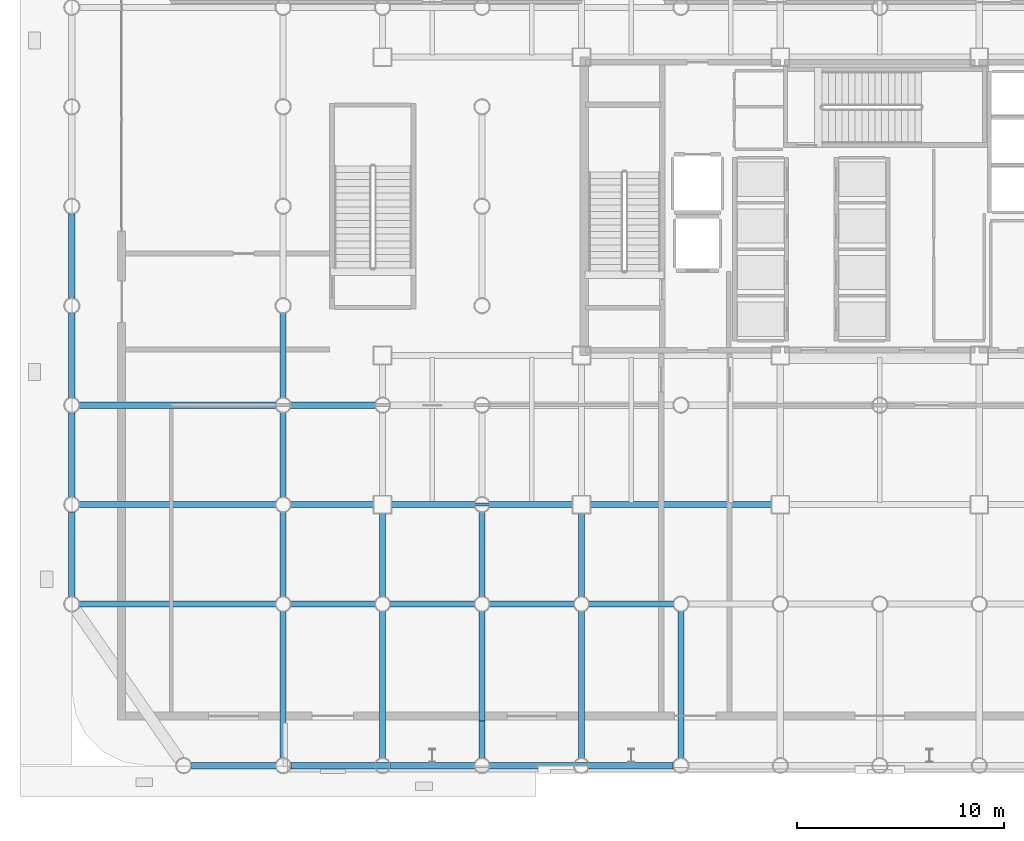
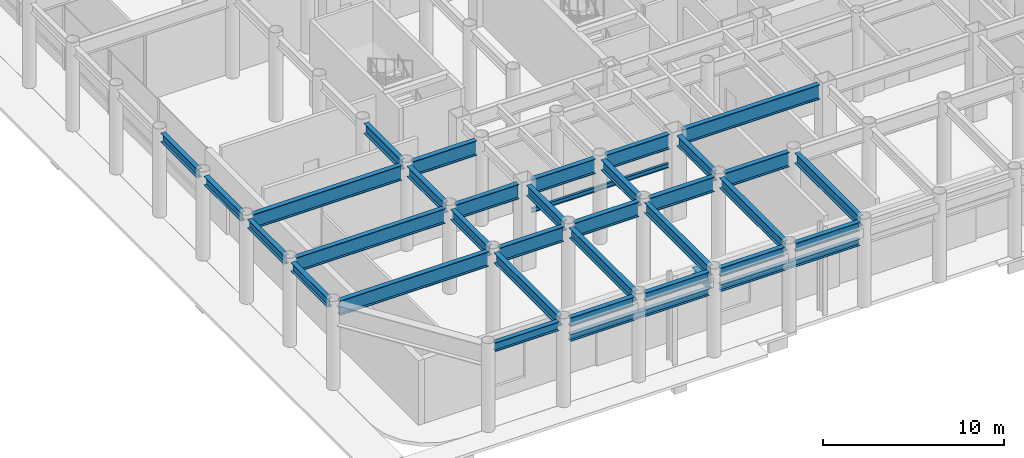
# One storey, part 6 of 23: 36 beams.
"""IFC4 building model written with IfcOpenShell, lengths in metres."""

from ifc_helpers import new_model, si_unit, direction, frame, origin, origin_2d, place, context, subcontext, project, spatial, i_section, extrude, material, material_profile, profile_set, type_object, element, save


model = new_model("IFC4")

# Units and contexts
model_context = context("Model", 3, precision=1e-05, world=origin(), true_north=direction((0.0, 1.0)))
body_context = subcontext(model_context, "Body", "Model", "MODEL_VIEW")
ifc_project = project(units=[si_unit("LENGTHUNIT", "METRE"), si_unit("AREAUNIT", "SQUARE_METRE"), si_unit("VOLUMEUNIT", "CUBIC_METRE"), si_unit("PLANEANGLEUNIT", "RADIAN"), si_unit("MASSUNIT", "GRAM", prefix="KILO")], contexts=[model_context])

# Site, building, storey
site_placement = place(None, origin())
site = spatial("IfcSite", under=ifc_project, at=site_placement, CompositionType="ELEMENT")
building_placement = place(site_placement, origin())
building = spatial("IfcBuilding", under=site, at=building_placement, Name="Kallvorn Hotel Tower", CompositionType="ELEMENT")
storey_placement = place(building_placement, origin())
storey = spatial("IfcBuildingStorey", under=building, at=storey_placement, Name="L00", CompositionType="ELEMENT", Elevation=0.0)

# Beams
ifc_material_1 = material(Name="Structural steel S355JR", Category="steel")
ifc_material_profile_1 = material_profile(ifc_material_1, i_section(OverallWidth=0.300048828125, OverallDepth=1.0, WebThickness=0.01904296875, FlangeThickness=0.035888671875, at=origin_2d()), Name="HE 1000 B")
ifc_profile_set_1 = profile_set([ifc_material_profile_1], Name="Structural steel S355JR")
beam_type_1 = type_object("IfcBeamType", Name="BM_HE1000B", PredefinedType="BEAM", material=ifc_profile_set_1)
beam_1_placement = place(storey_placement, frame((-38.64404296875, -19.199951171875, 5.25), z_axis=(1.0, 0.0, 0.0), x_axis=(0.0, 1.0, 0.0)))
element("IfcBeam", 1, at=beam_1_placement, inside=storey, type_object=beam_type_1, Name="L01 Primary X-Girder 01", PredefinedType="BEAM", context=body_context, shape_type="SweptSolid", body=[
    extrude(i_section(OverallWidth=0.300048828125, OverallDepth=1.0, WebThickness=0.01904296875, FlangeThickness=0.035888671875, at=origin_2d()), origin(), (0.0, 0.0, 1.0), 9.488037109375),
])
for number, where, z_axis, x_axis, name in (
    (2, (-28.444091796875, -19.199951171875, 5.25), (1.0, 0.0, 0.0), (0.0, 1.0, 0.0), "L01 Primary X-Girder 02"),
    (3, (-23.64404296875, -19.199951171875, 5.25), (1.0, 0.0, 0.0), (0.0, 1.0, 0.0), "L01 Primary X-Girder 03"),
):
    element("IfcBeam", number, at=place(storey_placement, frame(where, z_axis=z_axis, x_axis=x_axis)), inside=storey, type_object=beam_type_1, Name=name, PredefinedType="BEAM", context=body_context, shape_type="SweptSolid", body=[
        extrude(i_section(OverallWidth=0.300048828125, OverallDepth=1.0, WebThickness=0.01904296875, FlangeThickness=0.035888671875, at=origin_2d()), origin(), (0.0, 0.0, 1.0), 4.088134765625),
    ])
for number, where, z_axis, x_axis, name in (
    (4, (-18.843994140625, -19.199951171875, 5.25), (1.0, 0.0, 0.0), (0.0, 1.0, 0.0), "L01 Primary X-Girder 04"),
    (5, (-14.0439453125, -19.199951171875, 5.25), (1.0, 0.0, 0.0), (0.0, 1.0, 0.0), "L01 Primary X-Girder 05"),
):
    element("IfcBeam", number, at=place(storey_placement, frame(where, z_axis=z_axis, x_axis=x_axis)), inside=storey, type_object=beam_type_1, Name=name, PredefinedType="BEAM", context=body_context, shape_type="SweptSolid", body=[
        extrude(i_section(OverallWidth=0.300048828125, OverallDepth=1.0, WebThickness=0.01904296875, FlangeThickness=0.035888671875, at=origin_2d()), origin(), (0.0, 0.0, 1.0), 4.087890625),
    ])
beam_2_placement = place(storey_placement, frame((-38.64404296875, -14.39990234375, 5.25), z_axis=(1.0, 0.0, 0.0), x_axis=(0.0, 1.0, 0.0)))
element("IfcBeam", 6, at=beam_2_placement, inside=storey, type_object=beam_type_1, Name="L01 Primary X-Girder 15", PredefinedType="BEAM", context=body_context, shape_type="SweptSolid", body=[
    extrude(i_section(OverallWidth=0.300048828125, OverallDepth=1.0, WebThickness=0.01904296875, FlangeThickness=0.035888671875, at=origin_2d()), origin(), (0.0, 0.0, 1.0), 9.488037109375),
])
for number, where, z_axis, x_axis, name in (
    (7, (-28.444091796875, -14.39990234375, 5.25), (1.0, 0.0, 0.0), (0.0, 1.0, 0.0), "L01 Primary X-Girder 16"),
    (8, (-23.574951171875, -14.39990234375, 5.25), (1.0, 0.0, 0.0), (0.0, 1.0, 0.0), "L01 Primary X-Girder 17"),
    (9, (-18.843994140625, -14.39990234375, 5.25), (1.0, 0.0, 0.0), (0.0, 1.0, 0.0), "L01 Primary X-Girder 18"),
):
    element("IfcBeam", number, at=place(storey_placement, frame(where, z_axis=z_axis, x_axis=x_axis)), inside=storey, type_object=beam_type_1, Name=name, PredefinedType="BEAM", context=body_context, shape_type="SweptSolid", body=[
        extrude(i_section(OverallWidth=0.300048828125, OverallDepth=1.0, WebThickness=0.01904296875, FlangeThickness=0.035888671875, at=origin_2d()), origin(), (0.0, 0.0, 1.0), 4.01904296875),
    ])
beam_3_placement = place(storey_placement, frame((-13.97509765625, -14.39990234375, 5.25), z_axis=(1.0, 0.0, 0.0), x_axis=(0.0, 1.0, 0.0)))
element("IfcBeam", 10, at=beam_3_placement, inside=storey, type_object=beam_type_1, Name="L01 Primary X-Girder 19", PredefinedType="BEAM", context=body_context, shape_type="SweptSolid", body=[
    extrude(i_section(OverallWidth=0.300048828125, OverallDepth=1.0, WebThickness=0.01904296875, FlangeThickness=0.035888671875, at=origin_2d()), origin(), (0.0, 0.0, 1.0), 8.75),
])
beam_4_placement = place(storey_placement, frame((-38.64404296875, -9.60009765625, 5.25), z_axis=(1.0, 0.0, 0.0), x_axis=(0.0, 1.0, 0.0)))
element("IfcBeam", 11, at=beam_4_placement, inside=storey, type_object=beam_type_1, Name="L01 Primary X-Girder 26", PredefinedType="BEAM", context=body_context, shape_type="SweptSolid", body=[
    extrude(i_section(OverallWidth=0.300048828125, OverallDepth=1.0, WebThickness=0.01904296875, FlangeThickness=0.035888671875, at=origin_2d()), origin(), (0.0, 0.0, 1.0), 9.488037109375),
])
beam_5_placement = place(storey_placement, frame((-28.444091796875, -9.60009765625, 5.25), z_axis=(1.0, 0.0, 0.0), x_axis=(0.0, 1.0, 0.0)))
element("IfcBeam", 12, at=beam_5_placement, inside=storey, type_object=beam_type_1, Name="L01 Primary X-Girder 27", PredefinedType="BEAM", context=body_context, shape_type="SweptSolid", body=[
    extrude(i_section(OverallWidth=0.300048828125, OverallDepth=1.0, WebThickness=0.01904296875, FlangeThickness=0.035888671875, at=origin_2d()), origin(), (0.0, 0.0, 1.0), 4.088134765625),
])
ifc_material_2 = material(Name="Structural steel S355JR", Category="steel")
ifc_material_profile_2 = material_profile(ifc_material_2, i_section(OverallWidth=0.300048828125, OverallDepth=0.43994140625, WebThickness=0.011474609375, FlangeThickness=0.02099609375, at=origin_2d()), Name="HE 450 A")
ifc_profile_set_2 = profile_set([ifc_material_profile_2], Name="Structural steel S355JR")
beam_type_2 = type_object("IfcBeamType", Name="BM_HE450A", PredefinedType="BEAM", material=ifc_profile_set_2)
beam_6_placement = place(storey_placement, frame((-28.43994140625, -27.0, 4.3798828125), z_axis=(1.0, 0.0, 0.0), x_axis=(0.0, 1.0, 0.0)))
element("IfcBeam", 13, at=beam_6_placement, inside=storey, type_object=beam_type_2, Name="L00 Entrance Canopy Girder 1", PredefinedType="BEAM", context=body_context, shape_type="SweptSolid", body=[
    extrude(i_section(OverallWidth=0.300048828125, OverallDepth=0.43994140625, WebThickness=0.011474609375, FlangeThickness=0.02099609375, at=origin_2d()), origin(), (0.0, 0.0, 1.0), 8.8798828125),
])
beam_7_placement = place(storey_placement, frame((-18.840087890625, -27.0, 4.3798828125), z_axis=(1.0, 0.0, 0.0), x_axis=(0.0, 1.0, 0.0)))
element("IfcBeam", 14, at=beam_7_placement, inside=storey, type_object=beam_type_2, Name="L00 Entrance Canopy Girder 2", PredefinedType="BEAM", context=body_context, shape_type="SweptSolid", body=[
    extrude(i_section(OverallWidth=0.300048828125, OverallDepth=0.43994140625, WebThickness=0.011474609375, FlangeThickness=0.02099609375, at=origin_2d()), origin(), (0.0, 0.0, 1.0), 8.880126953125),
])
beam_8_placement = place(storey_placement, frame((-19.199951171875, -26.6298828125, 4.3798828125), z_axis=(0.0, 1.0, 0.0), x_axis=(-1.0, 0.0, 0.0)))
element("IfcBeam", 15, at=beam_8_placement, inside=storey, type_object=beam_type_2, Name="L00 Entrance Canopy Outrigger Bracket 1", PredefinedType="BEAM", context=body_context, shape_type="SweptSolid", body=[
    extrude(i_section(OverallWidth=0.300048828125, OverallDepth=0.43994140625, WebThickness=0.011474609375, FlangeThickness=0.02099609375, at=origin_2d()), origin(), (0.0, 0.0, 1.0), 1.77978515625),
])
ifc_material_3 = material(Name="Structural steel S355JR", Category="steel")
ifc_material_profile_3 = material_profile(ifc_material_3, i_section(OverallWidth=0.300048828125, OverallDepth=0.60009765625, WebThickness=0.015380859375, FlangeThickness=0.030029296875, at=origin_2d()), Name="HE 600 B")
ifc_profile_set_3 = profile_set([ifc_material_profile_3], Name="Structural steel S355JR")
beam_type_3 = type_object("IfcBeamType", Name="BM_HE600B", PredefinedType="SPANDREL", material=ifc_profile_set_3)
beam_9_placement = place(storey_placement, frame((-33.22900390625, -27.0, 5.449951171875), z_axis=(1.0, 0.0, 0.0), x_axis=(0.0, 1.0, 0.0)))
element("IfcBeam", 16, at=beam_9_placement, inside=storey, type_object=beam_type_3, Name="L01 Perimeter Spandrel 172", PredefinedType="SPANDREL", context=body_context, shape_type="SweptSolid", body=[
    extrude(i_section(OverallWidth=0.300048828125, OverallDepth=0.60009765625, WebThickness=0.015380859375, FlangeThickness=0.030029296875, at=origin_2d()), origin(), (0.0, 0.0, 1.0), 4.05810546875),
])
for number, where, z_axis, x_axis, name in (
    (17, (-28.428955078125, -27.0, 5.449951171875), (1.0, 0.0, 0.0), (0.0, 1.0, 0.0), "L01 Perimeter Spandrel 173"),
    (18, (-23.62890625, -27.0, 5.449951171875), (1.0, 0.0, 0.0), (0.0, 1.0, 0.0), "L01 Perimeter Spandrel 174"),
):
    element("IfcBeam", number, at=place(storey_placement, frame(where, z_axis=z_axis, x_axis=x_axis)), inside=storey, type_object=beam_type_3, Name=name, PredefinedType="SPANDREL", context=body_context, shape_type="SweptSolid", body=[
        extrude(i_section(OverallWidth=0.300048828125, OverallDepth=0.60009765625, WebThickness=0.015380859375, FlangeThickness=0.030029296875, at=origin_2d()), origin(), (0.0, 0.0, 1.0), 4.057861328125),
    ])
for number, where, z_axis, x_axis, name in (
    (19, (-18.8291015625, -27.0, 5.449951171875), (1.0, 0.0, 0.0), (0.0, 1.0, 0.0), "L01 Perimeter Spandrel 175"),
    (20, (-14.029052734375, -27.0, 5.449951171875), (1.0, 0.0, 0.0), (0.0, 1.0, 0.0), "L01 Perimeter Spandrel 176"),
    (21, (-39.0, -18.8291015625, 5.449951171875), (0.0, 1.0, 0.0), (-1.0, 0.0, 0.0), "L01 Perimeter Spandrel 200"),
    (22, (-39.0, -14.029052734375, 5.449951171875), (0.0, 1.0, 0.0), (-1.0, 0.0, 0.0), "L01 Perimeter Spandrel 201"),
    (23, (-39.0, -9.22900390625, 5.449951171875), (0.0, 1.0, 0.0), (-1.0, 0.0, 0.0), "L01 Perimeter Spandrel 202"),
):
    element("IfcBeam", number, at=place(storey_placement, frame(where, z_axis=z_axis, x_axis=x_axis)), inside=storey, type_object=beam_type_3, Name=name, PredefinedType="SPANDREL", context=body_context, shape_type="SweptSolid", body=[
        extrude(i_section(OverallWidth=0.300048828125, OverallDepth=0.60009765625, WebThickness=0.015380859375, FlangeThickness=0.030029296875, at=origin_2d()), origin(), (0.0, 0.0, 1.0), 4.05810546875),
    ])
beam_10_placement = place(storey_placement, frame((-39.0, -4.428955078125, 5.449951171875), z_axis=(0.0, 1.0, 0.0), x_axis=(-1.0, 0.0, 0.0)))
element("IfcBeam", 24, at=beam_10_placement, inside=storey, type_object=beam_type_3, Name="L01 Perimeter Spandrel 203", PredefinedType="SPANDREL", context=body_context, shape_type="SweptSolid", body=[
    extrude(i_section(OverallWidth=0.300048828125, OverallDepth=0.60009765625, WebThickness=0.015380859375, FlangeThickness=0.030029296875, at=origin_2d()), origin(), (0.0, 0.0, 1.0), 4.057861328125),
])
ifc_material_4 = material(Name="Structural steel S355JR", Category="steel")
ifc_material_profile_4 = material_profile(ifc_material_4, i_section(OverallWidth=0.300048828125, OverallDepth=0.699951171875, WebThickness=0.01708984375, FlangeThickness=0.031982421875, at=origin_2d()), Name="HE 700 B")
ifc_profile_set_4 = profile_set([ifc_material_profile_4], Name="Structural steel S355JR")
beam_type_4 = type_object("IfcBeamType", Name="BM_HE700B", PredefinedType="BEAM", material=ifc_profile_set_4)
beam_11_placement = place(storey_placement, frame((-28.800048828125, -26.64404296875, 5.39990234375), z_axis=(0.0, 1.0, 0.0), x_axis=(-1.0, 0.0, 0.0)))
element("IfcBeam", 25, at=beam_11_placement, inside=storey, type_object=beam_type_4, Name="L01 Primary Y-Girder 80", PredefinedType="BEAM", context=body_context, shape_type="SweptSolid", body=[
    extrude(i_section(OverallWidth=0.300048828125, OverallDepth=0.699951171875, WebThickness=0.01708984375, FlangeThickness=0.031982421875, at=origin_2d()), origin(), (0.0, 0.0, 1.0), 7.088134765625),
])
for number, where, z_axis, x_axis, name in (
    (26, (-28.800048828125, -18.843994140625, 5.39990234375), (0.0, 1.0, 0.0), (-1.0, 0.0, 0.0), "L01 Primary Y-Girder 81"),
    (27, (-28.800048828125, -14.0439453125, 5.39990234375), (0.0, 1.0, 0.0), (-1.0, 0.0, 0.0), "L01 Primary Y-Girder 82"),
    (28, (-28.800048828125, -9.243896484375, 5.39990234375), (0.0, 1.0, 0.0), (-1.0, 0.0, 0.0), "L01 Primary Y-Girder 83"),
):
    element("IfcBeam", number, at=place(storey_placement, frame(where, z_axis=z_axis, x_axis=x_axis)), inside=storey, type_object=beam_type_4, Name=name, PredefinedType="BEAM", context=body_context, shape_type="SweptSolid", body=[
        extrude(i_section(OverallWidth=0.300048828125, OverallDepth=0.699951171875, WebThickness=0.01708984375, FlangeThickness=0.031982421875, at=origin_2d()), origin(), (0.0, 0.0, 1.0), 4.087890625),
    ])
beam_12_placement = place(storey_placement, frame((-24.0, -26.64404296875, 5.39990234375), z_axis=(0.0, 1.0, 0.0), x_axis=(-1.0, 0.0, 0.0)))
element("IfcBeam", 29, at=beam_12_placement, inside=storey, type_object=beam_type_4, Name="L01 Primary Y-Girder 90", PredefinedType="BEAM", context=body_context, shape_type="SweptSolid", body=[
    extrude(i_section(OverallWidth=0.300048828125, OverallDepth=0.699951171875, WebThickness=0.01708984375, FlangeThickness=0.031982421875, at=origin_2d()), origin(), (0.0, 0.0, 1.0), 7.088134765625),
])
beam_13_placement = place(storey_placement, frame((-24.0, -18.843994140625, 5.39990234375), z_axis=(0.0, 1.0, 0.0), x_axis=(-1.0, 0.0, 0.0)))
element("IfcBeam", 30, at=beam_13_placement, inside=storey, type_object=beam_type_4, Name="L01 Primary Y-Girder 91", PredefinedType="BEAM", context=body_context, shape_type="SweptSolid", body=[
    extrude(i_section(OverallWidth=0.300048828125, OverallDepth=0.699951171875, WebThickness=0.01708984375, FlangeThickness=0.031982421875, at=origin_2d()), origin(), (0.0, 0.0, 1.0), 4.01904296875),
])
beam_14_placement = place(storey_placement, frame((-19.199951171875, -26.64404296875, 5.39990234375), z_axis=(0.0, 1.0, 0.0), x_axis=(-1.0, 0.0, 0.0)))
element("IfcBeam", 31, at=beam_14_placement, inside=storey, type_object=beam_type_4, Name="L01 Primary Y-Girder 98", PredefinedType="BEAM", context=body_context, shape_type="SweptSolid", body=[
    extrude(i_section(OverallWidth=0.300048828125, OverallDepth=0.699951171875, WebThickness=0.01708984375, FlangeThickness=0.031982421875, at=origin_2d()), origin(), (0.0, 0.0, 1.0), 7.088134765625),
])
beam_15_placement = place(storey_placement, frame((-19.199951171875, -18.843994140625, 5.39990234375), z_axis=(0.0, 1.0, 0.0), x_axis=(-1.0, 0.0, 0.0)))
element("IfcBeam", 32, at=beam_15_placement, inside=storey, type_object=beam_type_4, Name="L01 Primary Y-Girder 99", PredefinedType="BEAM", context=body_context, shape_type="SweptSolid", body=[
    extrude(i_section(OverallWidth=0.300048828125, OverallDepth=0.699951171875, WebThickness=0.01708984375, FlangeThickness=0.031982421875, at=origin_2d()), origin(), (0.0, 0.0, 1.0), 4.087890625),
])
beam_16_placement = place(storey_placement, frame((-14.39990234375, -26.64404296875, 5.39990234375), z_axis=(0.0, 1.0, 0.0), x_axis=(-1.0, 0.0, 0.0)))
element("IfcBeam", 33, at=beam_16_placement, inside=storey, type_object=beam_type_4, Name="L01 Primary Y-Girder 108", PredefinedType="BEAM", context=body_context, shape_type="SweptSolid", body=[
    extrude(i_section(OverallWidth=0.300048828125, OverallDepth=0.699951171875, WebThickness=0.01708984375, FlangeThickness=0.031982421875, at=origin_2d()), origin(), (0.0, 0.0, 1.0), 7.088134765625),
])
beam_17_placement = place(storey_placement, frame((-14.39990234375, -18.843994140625, 5.39990234375), z_axis=(0.0, 1.0, 0.0), x_axis=(-1.0, 0.0, 0.0)))
element("IfcBeam", 34, at=beam_17_placement, inside=storey, type_object=beam_type_4, Name="L01 Primary Y-Girder 109", PredefinedType="BEAM", context=body_context, shape_type="SweptSolid", body=[
    extrude(i_section(OverallWidth=0.300048828125, OverallDepth=0.699951171875, WebThickness=0.01708984375, FlangeThickness=0.031982421875, at=origin_2d()), origin(), (0.0, 0.0, 1.0), 4.01904296875),
])
beam_18_placement = place(storey_placement, frame((-9.60009765625, -26.64404296875, 5.39990234375), z_axis=(0.0, 1.0, 0.0), x_axis=(-1.0, 0.0, 0.0)))
element("IfcBeam", 35, at=beam_18_placement, inside=storey, type_object=beam_type_4, Name="L01 Primary Y-Girder 114", PredefinedType="BEAM", context=body_context, shape_type="SweptSolid", body=[
    extrude(i_section(OverallWidth=0.300048828125, OverallDepth=0.699951171875, WebThickness=0.01708984375, FlangeThickness=0.031982421875, at=origin_2d()), origin(), (0.0, 0.0, 1.0), 7.088134765625),
])
ifc_material_5 = material(Name="Structural steel S355JR", Category="steel")
ifc_material_profile_5 = material_profile(ifc_material_5, i_section(OverallWidth=0.14990234375, OverallDepth=0.300048828125, WebThickness=0.007080078125, FlangeThickness=0.0107421875, at=origin_2d()), Name="IPE 300")
ifc_profile_set_5 = profile_set([ifc_material_profile_5], Name="Structural steel S355JR")
beam_type_5 = type_object("IfcBeamType", Name="BM_IPE300", PredefinedType="LINTEL", material=ifc_profile_set_5)
beam_19_placement = place(storey_placement, frame((-23.56005859375, -14.39990234375, 3.60009765625), z_axis=(1.0, 0.0, 0.0), x_axis=(0.0, 1.0, 0.0)))
element("IfcBeam", 36, at=beam_19_placement, inside=storey, type_object=beam_type_5, Name="L00 Concourse Portal Lintel Beam 1", PredefinedType="LINTEL", context=body_context, shape_type="SweptSolid", body=[
    extrude(i_section(OverallWidth=0.14990234375, OverallDepth=0.300048828125, WebThickness=0.007080078125, FlangeThickness=0.0107421875, at=origin_2d()), origin(), (0.0, 0.0, 1.0), 8.719970703125),
])

save(model, "model.ifc")
